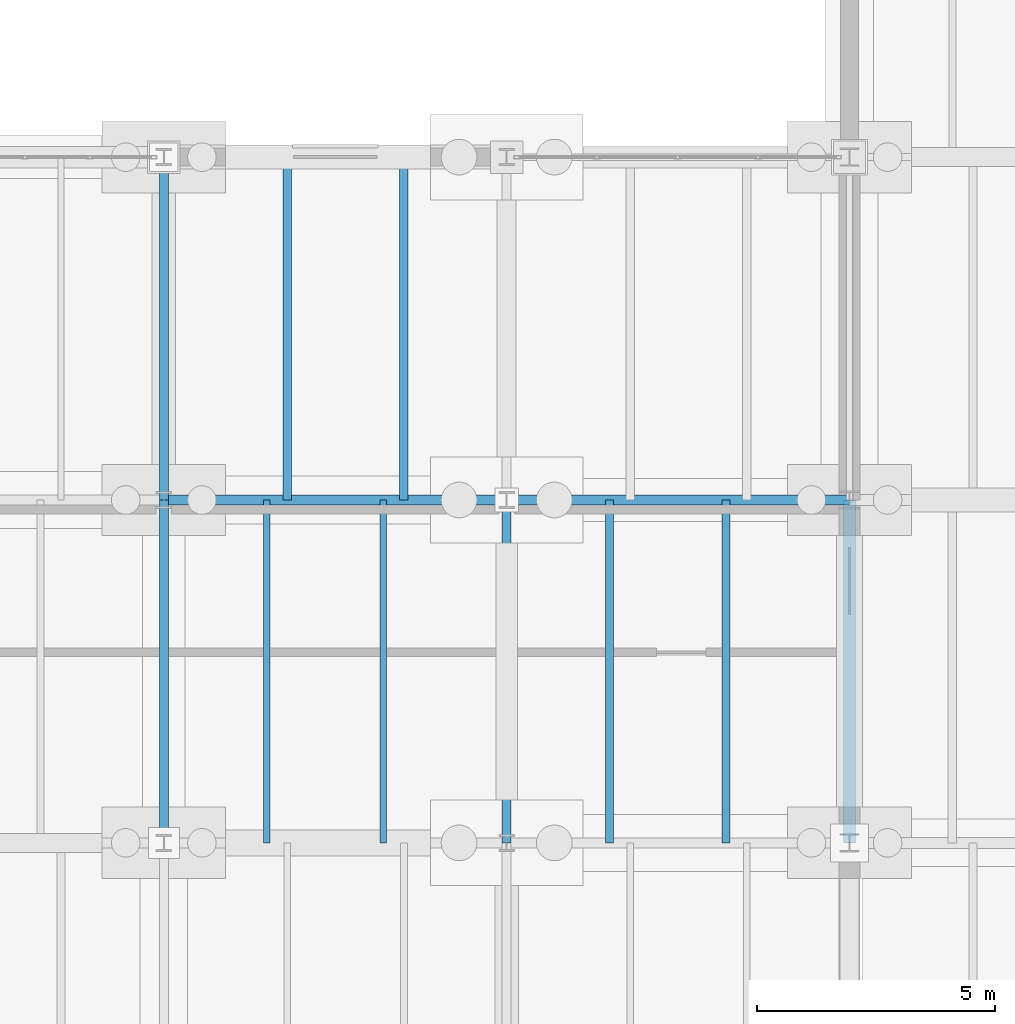
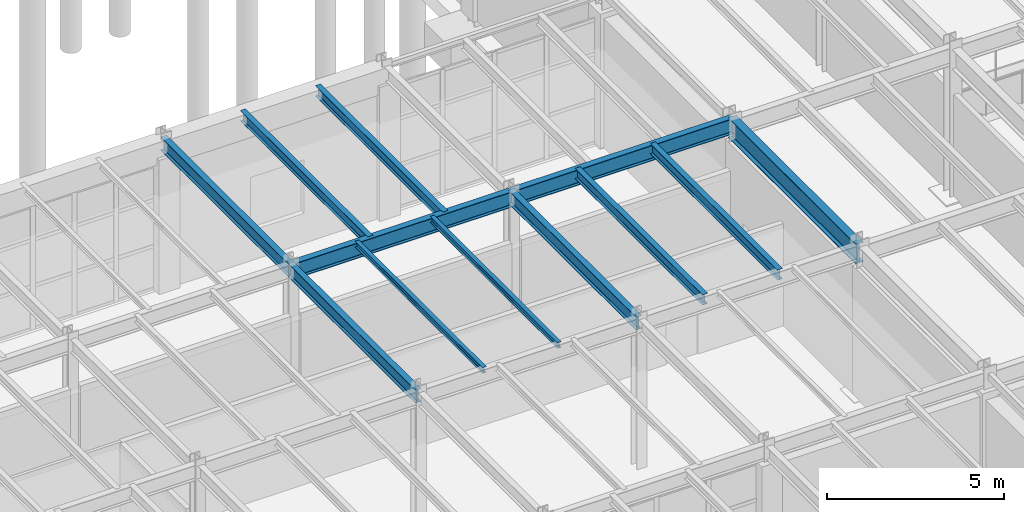
# One storey, part 158 of 293: 12 beams.
"""IFC4 building model written with IfcOpenShell, lengths in metres."""

from ifc_helpers import new_model, si_unit, direction, frame, origin, origin_2d, place, context, subcontext, project, spatial, i_section, extrude, material, material_profile, profile_set, type_object, element, save


model = new_model("IFC4")

# Units and contexts
model_context = context("Model", 3, precision=1e-05, world=origin(), true_north=direction((0.0, 1.0)))
body_context = subcontext(model_context, "Body", "Model", "MODEL_VIEW")
ifc_project = project(units=[si_unit("LENGTHUNIT", "METRE"), si_unit("AREAUNIT", "SQUARE_METRE"), si_unit("VOLUMEUNIT", "CUBIC_METRE"), si_unit("PLANEANGLEUNIT", "RADIAN"), si_unit("MASSUNIT", "GRAM", prefix="KILO")], contexts=[model_context])

# Site, building, storey
site_placement = place(None, origin())
site = spatial("IfcSite", under=ifc_project, at=site_placement, CompositionType="ELEMENT")
building_placement = place(site_placement, origin())
building = spatial("IfcBuilding", under=site, at=building_placement, Name="Kemerveld Promenade Tramway Depot", CompositionType="ELEMENT")
storey_placement = place(building_placement, origin())
storey = spatial("IfcBuildingStorey", under=building, at=storey_placement, Name="L00", CompositionType="ELEMENT", Elevation=0.0)

# Beams
ifc_material = material(Name="Steel S355", Category="steel")
ifc_material_profile_1 = material_profile(ifc_material, i_section(OverallWidth=0.25439453125, OverallDepth=0.6875, WebThickness=0.01318359375, FlangeThickness=0.02099609375, FilletRadius=0.01513671875, at=origin_2d()), Name="686x254x152 UB")
ifc_profile_set_1 = profile_set([ifc_material_profile_1], Name="Steel S355")
beam_type_1 = type_object("IfcBeamType", Name="BM-G03", PredefinedType="BEAM", material=ifc_profile_set_1)
beam_1_placement = place(storey_placement, frame((158.39990234375, 14.39990234375, 4.831298828125), z_axis=(0.0, 1.0, 0.0), x_axis=(-1.0, 0.0, 0.0)))
element("IfcBeam", 1, at=beam_1_placement, inside=storey, type_object=beam_type_1, Name="BMY-L00-23-C-D", PredefinedType="BEAM", context=body_context, shape_type="SweptSolid", body=[
    extrude(i_section(OverallWidth=0.25439453125, OverallDepth=0.6875, WebThickness=0.01318359375, FlangeThickness=0.02099609375, FilletRadius=0.01513671875, at=origin_2d()), origin(), (0.0, 0.0, 1.0), 7.2001953125),
])
ifc_material_profile_2 = material_profile(ifc_material, i_section(OverallWidth=0.2099609375, OverallDepth=0.53662109375, WebThickness=0.0107421875, FlangeThickness=0.017333984375, FilletRadius=0.0126953125, at=origin_2d()), Name="533x210x101 UB")
ifc_profile_set_2 = profile_set([ifc_material_profile_2], Name="Steel S355")
beam_type_2 = type_object("IfcBeamType", Name="BM-G05", PredefinedType="BEAM", material=ifc_profile_set_2)
for number, where, z_axis, x_axis, name in (
    (2, (144.0, 21.60009765625, 4.906494140625), (1.0, 0.0, 0.0), (0.0, 1.0, 0.0), "BMX-L00-21-22-D"),
    (3, (151.199951171875, 21.60009765625, 4.906494140625), (1.0, 0.0, 0.0), (0.0, 1.0, 0.0), "BMX-L00-22-23-D"),
):
    element("IfcBeam", number, at=place(storey_placement, frame(where, z_axis=z_axis, x_axis=x_axis)), inside=storey, type_object=beam_type_2, Name=name, PredefinedType="BEAM", context=body_context, shape_type="SweptSolid", body=[
        extrude(i_section(OverallWidth=0.2099609375, OverallDepth=0.53662109375, WebThickness=0.0107421875, FlangeThickness=0.017333984375, FilletRadius=0.0126953125, at=origin_2d()), origin(), (0.0, 0.0, 1.0), 7.199951171875),
    ])
ifc_material_profile_3 = material_profile(ifc_material, i_section(OverallWidth=0.19140625, OverallDepth=0.4599609375, WebThickness=0.010009765625, FlangeThickness=0.01611328125, FilletRadius=0.01025390625, at=origin_2d()), Name="457x191x82 UB")
ifc_profile_set_3 = profile_set([ifc_material_profile_3], Name="Steel S355")
beam_type_3 = type_object("IfcBeamType", Name="BM-G06", PredefinedType="BEAM", material=ifc_profile_set_3)
beam_2_placement = place(storey_placement, frame((144.0, 14.39990234375, 4.945068359375), z_axis=(0.0, 1.0, 0.0), x_axis=(-1.0, 0.0, 0.0)))
element("IfcBeam", 4, at=beam_2_placement, inside=storey, type_object=beam_type_3, Name="BMY-L00-21-C-D", PredefinedType="BEAM", context=body_context, shape_type="SweptSolid", body=[
    extrude(i_section(OverallWidth=0.19140625, OverallDepth=0.4599609375, WebThickness=0.010009765625, FlangeThickness=0.01611328125, FilletRadius=0.01025390625, at=origin_2d()), origin(), (0.0, 0.0, 1.0), 7.2001953125),
])
beam_3_placement = place(storey_placement, frame((144.0, 21.60009765625, 4.945068359375), z_axis=(0.0, 1.0, 0.0), x_axis=(-1.0, 0.0, 0.0)))
element("IfcBeam", 5, at=beam_3_placement, inside=storey, type_object=beam_type_3, Name="BMY-L00-21-D-E", PredefinedType="BEAM", context=body_context, shape_type="SweptSolid", body=[
    extrude(i_section(OverallWidth=0.19140625, OverallDepth=0.4599609375, WebThickness=0.010009765625, FlangeThickness=0.01611328125, FilletRadius=0.01025390625, at=origin_2d()), origin(), (0.0, 0.0, 1.0), 7.199951171875),
])
beam_4_placement = place(storey_placement, frame((151.199951171875, 14.39990234375, 4.945068359375), z_axis=(0.0, 1.0, 0.0), x_axis=(-1.0, 0.0, 0.0)))
element("IfcBeam", 6, at=beam_4_placement, inside=storey, type_object=beam_type_3, Name="BMY-L00-22-C-D", PredefinedType="BEAM", context=body_context, shape_type="SweptSolid", body=[
    extrude(i_section(OverallWidth=0.19140625, OverallDepth=0.4599609375, WebThickness=0.010009765625, FlangeThickness=0.01611328125, FilletRadius=0.01025390625, at=origin_2d()), origin(), (0.0, 0.0, 1.0), 7.2001953125),
])
ifc_material_profile_4 = material_profile(ifc_material, i_section(OverallWidth=0.13330078125, OverallDepth=0.203125, WebThickness=0.005615234375, FlangeThickness=0.0078125, FilletRadius=0.007568359375, at=origin_2d()), Name="203x133x25 UB")
ifc_profile_set_4 = profile_set([ifc_material_profile_4], Name="Steel S355")
beam_type_4 = type_object("IfcBeamType", Name="BM-J03", PredefinedType="JOIST", material=ifc_profile_set_4)
for number, where, z_axis, x_axis, name in (
    (7, (146.159912109375, 14.39990234375, 5.073486328125), (0.0, 1.0, 0.0), (-1.0, 0.0, 0.0), "JST-L00-21-C-1"),
    (8, (148.60791015625, 14.39990234375, 5.073486328125), (0.0, 1.0, 0.0), (-1.0, 0.0, 0.0), "JST-L00-21-C-2"),
):
    element("IfcBeam", number, at=place(storey_placement, frame(where, z_axis=z_axis, x_axis=x_axis)), inside=storey, type_object=beam_type_4, Name=name, PredefinedType="JOIST", context=body_context, shape_type="SweptSolid", body=[
        extrude(i_section(OverallWidth=0.13330078125, OverallDepth=0.203125, WebThickness=0.005615234375, FlangeThickness=0.0078125, FilletRadius=0.007568359375, at=origin_2d()), origin(), (0.0, 0.0, 1.0), 7.2001953125),
    ])
ifc_material_profile_5 = material_profile(ifc_material, i_section(OverallWidth=0.172119140625, OverallDepth=0.35791015625, WebThickness=0.008056640625, FlangeThickness=0.012939453125, FilletRadius=0.01025390625, at=origin_2d()), Name="356x171x57 UB")
ifc_profile_set_5 = profile_set([ifc_material_profile_5], Name="Steel S355")
beam_type_5 = type_object("IfcBeamType", Name="BM-J04", PredefinedType="JOIST", material=ifc_profile_set_5)
for number, where, z_axis, x_axis, name in (
    (9, (146.592041015625, 21.60009765625, 4.99609375), (0.0, 1.0, 0.0), (-1.0, 0.0, 0.0), "JST-L00-21-D-1"),
    (10, (149.0400390625, 21.60009765625, 4.99609375), (0.0, 1.0, 0.0), (-1.0, 0.0, 0.0), "JST-L00-21-D-2"),
):
    element("IfcBeam", number, at=place(storey_placement, frame(where, z_axis=z_axis, x_axis=x_axis)), inside=storey, type_object=beam_type_5, Name=name, PredefinedType="JOIST", context=body_context, shape_type="SweptSolid", body=[
        extrude(i_section(OverallWidth=0.172119140625, OverallDepth=0.35791015625, WebThickness=0.008056640625, FlangeThickness=0.012939453125, FilletRadius=0.01025390625, at=origin_2d()), origin(), (0.0, 0.0, 1.0), 7.199951171875),
    ])
for number, where, z_axis, x_axis, name in (
    (11, (153.360107421875, 14.39990234375, 4.99609375), (0.0, 1.0, 0.0), (-1.0, 0.0, 0.0), "JST-L00-22-C-1"),
    (12, (155.80810546875, 14.39990234375, 4.99609375), (0.0, 1.0, 0.0), (-1.0, 0.0, 0.0), "JST-L00-22-C-2"),
):
    element("IfcBeam", number, at=place(storey_placement, frame(where, z_axis=z_axis, x_axis=x_axis)), inside=storey, type_object=beam_type_5, Name=name, PredefinedType="JOIST", context=body_context, shape_type="SweptSolid", body=[
        extrude(i_section(OverallWidth=0.172119140625, OverallDepth=0.35791015625, WebThickness=0.008056640625, FlangeThickness=0.012939453125, FilletRadius=0.01025390625, at=origin_2d()), origin(), (0.0, 0.0, 1.0), 7.2001953125),
    ])

save(model, "model.ifc")
